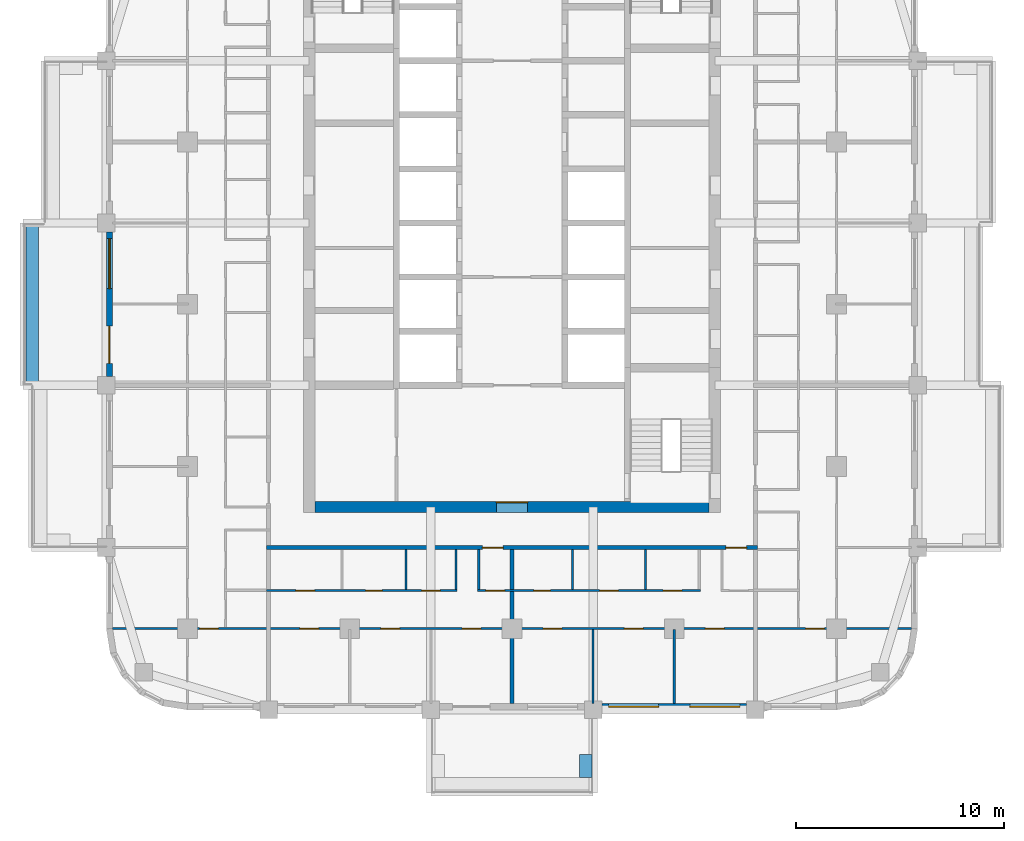
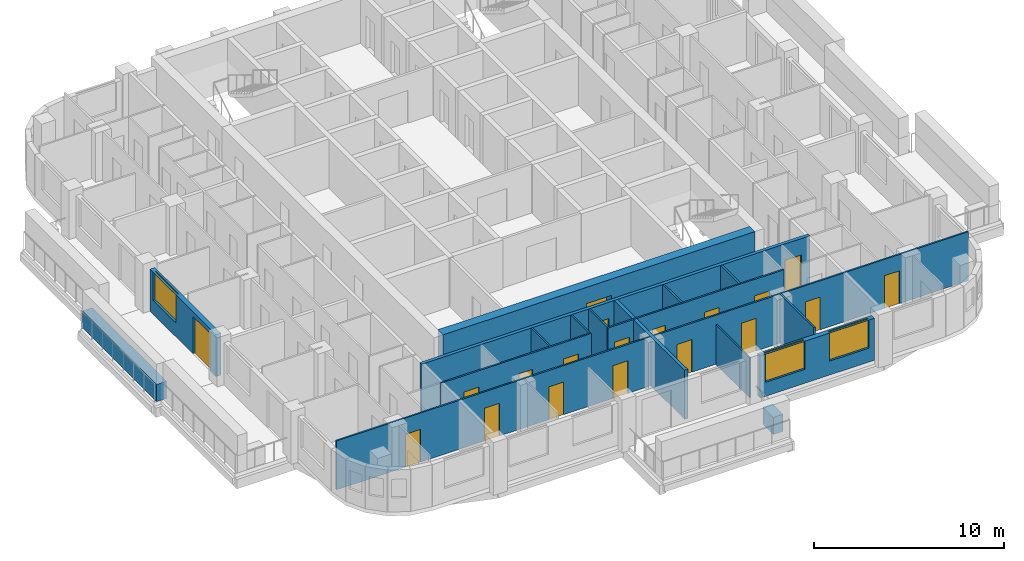
# One storey, part 3 of 14: 19 doors, 17 walls, 3 windows, 22 openings.
"""IFC4 building model written with IfcOpenShell, lengths in metres."""

import ifcopenshell
import ifcopenshell.guid

model = None  # the IFC model being written
_history = None  # IfcOwnerHistory: only IFC2X3 demands one
_inside = {}  # id of a spatial element -> (the spatial element, [elements in it])
_under = {}  # id of a project, library or spatial element -> (it, [spatial elements below it])
_declared = {}  # id of a project -> (the project, [libraries it declares])
_typed = {}  # id of a type object -> (the type object, [elements of that type])
_made_of = {}  # id of a material, layer set ... -> (it, [elements and type objects made of it])


def new_model(schema):
    """Start an empty IFC model of exactly this schema.

    Asked for "IFC4X3", IfcOpenShell would pick the latest addendum, in which some entities
    have other attributes; the version numbers below select the first issue.
    IFC2X3 requires an IfcOwnerHistory on every rooted entity: one is made here for all.
    """
    global model, _history
    if schema == "IFC4X3":
        model = ifcopenshell.file(schema_version=(4, 3, 0, 0))
    else:
        model = ifcopenshell.file(schema=schema)
    _inside.clear()
    _under.clear()
    _declared.clear()
    _typed.clear()
    _made_of.clear()
    _history = None
    if model.schema == "IFC2X3":
        org = make("IfcOrganization", Name="unknown")
        user = make(
            "IfcPersonAndOrganization",
            ThePerson=make("IfcPerson", FamilyName="unknown"),
            TheOrganization=org,
        )
        app = make(
            "IfcApplication",
            ApplicationDeveloper=org,
            Version="unknown",
            ApplicationFullName="unknown",
            ApplicationIdentifier="unknown",
        )
        _history = make(
            "IfcOwnerHistory",
            OwningUser=user,
            OwningApplication=app,
            ChangeAction="ADDED",
            CreationDate=0,
        )
    return model


def make(cls, **values):
    """One entity of the class cls with the attributes given. An attribute that is None is left unset."""
    return model.create_entity(
        cls, **{name: value for name, value in values.items() if value is not None}
    )


def rooted(cls, **values):
    """An entity with a GlobalId (a new one), such as an element, a storey or a relation."""
    return make(cls, GlobalId=ifcopenshell.guid.new(), OwnerHistory=_history, **values)


def si_unit(unit_type, name, prefix=None):
    """IfcSIUnit, for example si_unit("LENGTHUNIT", "METRE", prefix="MILLI")."""
    return make("IfcSIUnit", UnitType=unit_type, Prefix=prefix, Name=name)


def assignment(units):
    """IfcUnitAssignment: the units of a project."""
    return None if units is None else make("IfcUnitAssignment", Units=units)


def point(xyz):
    """IfcCartesianPoint."""
    return None if xyz is None else make("IfcCartesianPoint", Coordinates=xyz)


def direction(xyz):
    """IfcDirection."""
    return None if xyz is None else make("IfcDirection", DirectionRatios=xyz)


def frame(location, z_axis=None, x_axis=None):
    """IfcAxis2Placement3D, a coordinate frame: its origin and axes. An axis left out is left unset."""
    return make(
        "IfcAxis2Placement3D",
        Location=point(location),
        Axis=direction(z_axis),
        RefDirection=direction(x_axis),
    )


def frame_2d(location, x_axis=None):
    """IfcAxis2Placement2D, a coordinate frame in the plane: its origin and x axis."""
    return make(
        "IfcAxis2Placement2D", Location=point(location), RefDirection=direction(x_axis)
    )


def origin():
    """The frame at (0, 0, 0) with its axes left unset."""
    return frame((0.0, 0.0, 0.0))


def place(relative_to, where):
    """IfcLocalPlacement: puts the frame where relative to a parent placement (None: the world)."""
    return make(
        "IfcLocalPlacement", PlacementRelTo=relative_to, RelativePlacement=where
    )


def context(
    kind, dimensions, precision=None, world=None, true_north=None, identifier=None
):
    """IfcGeometricRepresentationContext, for example the 3D "Model" context."""
    return make(
        "IfcGeometricRepresentationContext",
        ContextIdentifier=identifier,
        ContextType=kind,
        CoordinateSpaceDimension=dimensions,
        Precision=precision,
        WorldCoordinateSystem=world,
        TrueNorth=true_north,
    )


def subcontext(parent, identifier, kind, view, scale=None):
    """IfcGeometricRepresentationSubContext, for example "Body" below "Model"."""
    return make(
        "IfcGeometricRepresentationSubContext",
        ContextIdentifier=identifier,
        ContextType=kind,
        ParentContext=parent,
        TargetScale=scale,
        TargetView=view,
    )


def project(units=None, contexts=None):
    """IfcProject with its units and contexts."""
    return rooted(
        "IfcProject",
        Name="project",
        RepresentationContexts=contexts,
        UnitsInContext=assignment(units),
    )


def spatial(cls, under=None, at=None, **own):
    """A site, building, storey or space (cls), placed at a placement, below another one or the project."""
    s = rooted(cls, ObjectPlacement=at, **own)
    if under is not None:
        _under.setdefault(under.id(), (under, []))[1].append(s)
    return s


def profile(cls, at=None, kind="AREA", **sizes):
    """A parametric profile (cls). Its sizes go by their IFC names, for example OverallWidth=200.0."""
    return make(cls, ProfileType=kind, Position=at, **sizes)


def rectangle(**sizes):
    """IfcRectangleProfileDef."""
    return profile("IfcRectangleProfileDef", **sizes)


def extrude(swept, where, along, depth):
    """IfcExtrudedAreaSolid: the profile swept, set in the frame where, extruded along a direction by depth."""
    return make(
        "IfcExtrudedAreaSolid",
        SweptArea=swept,
        Position=where,
        ExtrudedDirection=direction(along),
        Depth=depth,
    )


def shape(context_of_items, identifier, shape_type, items):
    """IfcShapeRepresentation: the items that make up one representation, for example the "Body"."""
    return make(
        "IfcShapeRepresentation",
        ContextOfItems=context_of_items,
        RepresentationIdentifier=identifier,
        RepresentationType=shape_type,
        Items=items,
    )


def material(Name=None, Category=None):
    """IfcMaterial."""
    return make("IfcMaterial", Name=Name, Category=Category)


def layer(
    of_material, thickness, ventilated=None, Name=None, Category=None, Priority=None
):
    """IfcMaterialLayer: one layer of a wall or slab, of a material (None: an air gap)."""
    return make(
        "IfcMaterialLayer",
        Material=of_material,
        LayerThickness=thickness,
        IsVentilated=ventilated,
        Name=Name,
        Category=Category,
        Priority=Priority,
    )


def layer_set(layers, Name=None):
    """IfcMaterialLayerSet."""
    return make("IfcMaterialLayerSet", MaterialLayers=layers, LayerSetName=Name)


def made_of(thing, what):
    """Note that an element or type object is made of a material, layer set ...; save() writes the relation."""
    if what is not None:
        _made_of.setdefault(what.id(), (what, []))[1].append(thing)
    return thing


def type_object(cls, material=None, **own):
    """A type object (cls), such as IfcWallType, which elements share."""
    return made_of(rooted(cls, **own), material)


def element(
    cls,
    number,
    at=None,
    inside=None,
    cuts=None,
    type_object=None,
    material=None,
    context=None,
    identifier="Body",
    shape_type=None,
    held_by="IfcProductDefinitionShape",
    body=None,
    shapes=None,
    **own,
):
    """One element of the class cls, such as IfcWall. Its Tag is "e" and its number.

    at: its placement. inside: the storey or other place that contains it. cuts: it is an
    opening in that element (IfcRelVoidsElement). A single representation is given by context,
    identifier, shape_type and body (its items); several are given by shapes. held_by: the class
    of the entity that holds the representations. save() writes the other relations.
    """
    e = rooted(cls, Tag="e%d" % number, ObjectPlacement=at, **own)
    if body is not None:
        shapes = [shape(context, identifier, shape_type, body)]
    if shapes is not None:
        e.Representation = make(held_by, Representations=shapes)
    if inside is not None:
        _inside.setdefault(inside.id(), (inside, []))[1].append(e)
    if cuts is not None:
        rooted(
            "IfcRelVoidsElement", RelatingBuildingElement=cuts, RelatedOpeningElement=e
        )
    if type_object is not None:
        _typed.setdefault(type_object.id(), (type_object, []))[1].append(e)
    return made_of(e, material)


def fill(opening, filler):
    """IfcRelFillsElement: the door or window that sits in an opening."""
    return rooted(
        "IfcRelFillsElement",
        RelatingOpeningElement=opening,
        RelatedBuildingElement=filler,
    )


def aggregate(whole, parts):
    """IfcRelAggregates: a whole, such as a stair, and the parts it consists of."""
    return rooted("IfcRelAggregates", RelatingObject=whole, RelatedObjects=parts)


def save(model, path):
    """Write the relations noted so far, then the file.

    IfcRelAggregates (storeys below a building ...), IfcRelContainedInSpatialStructure (elements
    in a storey), IfcRelDefinesByType, IfcRelAssociatesMaterial and IfcRelDeclares: one each for
    every whole, place, type object, material and project.
    """
    for whole, parts in _under.values():
        aggregate(whole, parts)
    for where, things in _inside.values():
        rooted(
            "IfcRelContainedInSpatialStructure",
            RelatedElements=things,
            RelatingStructure=where,
        )
    for kind, things in _typed.values():
        rooted("IfcRelDefinesByType", RelatedObjects=things, RelatingType=kind)
    for what, things in _made_of.values():
        rooted("IfcRelAssociatesMaterial", RelatedObjects=things, RelatingMaterial=what)
    for by, libraries in _declared.values():
        rooted("IfcRelDeclares", RelatingContext=by, RelatedDefinitions=libraries)
    model.write(path)


model = new_model("IFC4")

# Units and contexts
model_context = context("Model", 3, precision=1e-05, world=origin(), true_north=direction((0.0, 1.0)))
body_context = subcontext(model_context, "Body", "Model", "MODEL_VIEW")
ifc_project = project(units=[si_unit("LENGTHUNIT", "METRE"), si_unit("AREAUNIT", "SQUARE_METRE"), si_unit("VOLUMEUNIT", "CUBIC_METRE"), si_unit("PLANEANGLEUNIT", "RADIAN"), si_unit("MASSUNIT", "GRAM", prefix="KILO")], contexts=[model_context])

# Site, building, storey
site_placement = place(None, origin())
site = spatial("IfcSite", under=ifc_project, at=site_placement, CompositionType="ELEMENT")
building_placement = place(site_placement, origin())
building = spatial("IfcBuilding", under=site, at=building_placement, Name="Ludao Terraces", CompositionType="ELEMENT")
storey_placement = place(building_placement, frame((0.0, 0.0, 110.10009765625)))
storey = spatial("IfcBuildingStorey", under=building, at=storey_placement, Name="L30", CompositionType="ELEMENT", Elevation=110.10009765625)

# Wall, opening, door
ifc_material_1 = material(Name="Concrete C60", Category="concrete")
ifc_layer_1 = layer(ifc_material_1, 0.550048828125)
ifc_layer_set_1 = layer_set([ifc_layer_1], Name="Core wall 550 C60")
wall_type_1 = type_object("IfcWallType", Name="Core wall 550 C60", PredefinedType="SOLIDWALL", material=ifc_layer_set_1)
wall_1_placement = place(storey_placement, frame((75.52490234375, 55.25, -0.25), z_axis=(0.0, 0.0, 1.0), x_axis=(1.0, 0.0, 0.0)))
wall_1 = element("IfcWall", 1, at=wall_1_placement, inside=storey, type_object=wall_type_1, Name="Core wall L30 outer-S", PredefinedType="SOLIDWALL", context=body_context, shape_type="SweptSolid", body=[
    extrude(rectangle(XDim=18.9501953125, YDim=0.550048828125, at=frame_2d((9.47509765625, 0.0))), origin(), (0.0, 0.0, 1.0), 3.39990234375),
])
opening_1_placement = place(wall_1_placement, frame((8.72509765625, 0.0, 0.25)))
opening_1 = element("IfcOpeningElement", 2, at=opening_1_placement, cuts=wall_1, Name="Opening R09-029", PredefinedType="OPENING", context=body_context, shape_type="SweptSolid", body=[
    extrude(rectangle(XDim=1.5, YDim=2.10009765625, at=frame_2d((0.75, 1.050048828125))), frame((0.0, 0.28515625, 0.0), z_axis=(0.0, -1.0, 0.0), x_axis=(1.0, 0.0, 0.0)), (0.0, 0.0, 1.0), 0.570068359375),
])
ifc_material_2 = material(Name="Steel Q235", Category="steel")
door_type_1 = type_object("IfcDoorType", Name="INT Lobby door 1500", OperationType="DOUBLE_DOOR_SINGLE_SWING", PredefinedType="DOOR", material=ifc_material_2)
door_1_placement = place(opening_1_placement, origin())
door_1 = element("IfcDoor", 3, at=door_1_placement, inside=storey, type_object=door_type_1, Name="DOOR 029", OperationType="DOUBLE_DOOR_SINGLE_SWING", OverallHeight=2.10009765625, OverallWidth=1.5, PredefinedType="DOOR", context=body_context, shape_type="SweptSolid", body=[
    extrude(rectangle(XDim=1.5, YDim=2.10009765625, at=frame_2d((0.75, 1.050048828125))), frame((0.0, 0.26025390625, 0.0), z_axis=(0.0, -1.0, 0.0), x_axis=(1.0, 0.0, 0.0)), (0.0, 0.0, 1.0), 0.050048828125),
])
fill(opening_1, door_1)

# Walls
ifc_material_3 = material(Name="Concrete C40", Category="concrete")
ifc_layer_2 = layer(ifc_material_3, 0.60009765625)
ifc_layer_set_2 = layer_set([ifc_layer_2], Name="ENV Planter trough 600")
wall_type_2 = type_object("IfcWallType", Name="ENV Planter trough 600", PredefinedType="USERDEFINED", material=ifc_layer_set_2)
wall_2_placement = place(storey_placement, frame((88.550048828125, 42.25, 0.0), z_axis=(0.0, 0.0, 1.0), x_axis=(0.0, 1.0, 0.0)))
element("IfcWall", 4, at=wall_2_placement, inside=storey, type_object=wall_type_2, Name="PL-L30-S1-SB", ObjectType="PLANTER", PredefinedType="USERDEFINED", context=body_context, shape_type="SweptSolid", body=[
    extrude(rectangle(XDim=1.10009765625, YDim=0.60009765625, at=frame_2d((0.550048828125, 0.0))), origin(), (0.0, 0.0, 1.0), 1.099853515625),
])
wall_3_placement = place(storey_placement, frame((61.949951171875, 61.10009765625, 0.0), z_axis=(0.0, 0.0, 1.0), x_axis=(0.0, 1.0, 0.0)))
element("IfcWall", 5, at=wall_3_placement, inside=storey, type_object=wall_type_2, Name="PL-L30-W2", ObjectType="PLANTER", PredefinedType="USERDEFINED", context=body_context, shape_type="SweptSolid", body=[
    extrude(rectangle(XDim=7.7998046875, YDim=0.60009765625, at=frame_2d((3.89990234375, 0.0))), origin(), (0.0, 0.0, 1.0), 1.099853515625),
])

# Wall, openings, windows
ifc_material_4 = material(Name="Granite cladding", Category="masonry")
ifc_layer_3 = layer(ifc_material_4, 0.0400390625, Category="stone")
ifc_material_5 = material(Name="Mineral wool")
ifc_layer_4 = layer(ifc_material_5, 0.06005859375)
ifc_layer_5 = layer(ifc_material_3, 0.199951171875, Category="concrete")
ifc_layer_set_3 = layer_set([ifc_layer_3, ifc_layer_4, ifc_layer_5], Name="ENV Stone-clad wall 300")
wall_type_3 = type_object("IfcWallType", Name="ENV Stone-clad wall 300", PredefinedType="SOLIDWALL", material=ifc_layer_set_3)
wall_4_placement = place(storey_placement, frame((89.324951171875, 45.64990234375, 0.0), z_axis=(0.0, 0.0, 1.0), x_axis=(1.0, 0.0, 0.0)))
wall_4 = element("IfcWall", 6, at=wall_4_placement, inside=storey, type_object=wall_type_3, Name="EW-L30-S4", PredefinedType="SOLIDWALL", context=body_context, shape_type="SweptSolid", body=[
    extrude(rectangle(XDim=6.949951171875, YDim=0.300048828125, at=frame_2d((3.47509765625, 0.0))), origin(), (0.0, 0.0, 1.0), 2.699951171875),
])
opening_2_placement = place(wall_4_placement, frame((0.324951171875, 0.0, 0.89990234375)))
opening_2 = element("IfcOpeningElement", 7, at=opening_2_placement, cuts=wall_4, Name="Opening W1", PredefinedType="OPENING", context=body_context, shape_type="SweptSolid", body=[
    extrude(rectangle(XDim=2.39990234375, YDim=1.800048828125, at=frame_2d((1.199951171875, 0.89990234375))), frame((0.0, 0.16015625, 0.0), z_axis=(0.0, -1.0, 0.0), x_axis=(1.0, 0.0, 0.0)), (0.0, 0.0, 1.0), 0.320068359375),
])
opening_3_placement = place(wall_4_placement, frame((4.22509765625, 0.0, 0.89990234375)))
opening_3 = element("IfcOpeningElement", 8, at=opening_3_placement, cuts=wall_4, Name="Opening W1", PredefinedType="OPENING", context=body_context, shape_type="SweptSolid", body=[
    extrude(rectangle(XDim=2.39990234375, YDim=1.800048828125, at=frame_2d((1.199951171875, 0.89990234375))), frame((0.0, 0.16015625, 0.0), z_axis=(0.0, -1.0, 0.0), x_axis=(1.0, 0.0, 0.0)), (0.0, 0.0, 1.0), 0.320068359375),
])
ifc_material_6 = material(Name="Clear glass in aluminium frame", Category="aluminium")
ifc_layer_6 = layer(ifc_material_6, 0.06005859375)
ifc_layer_set_4 = layer_set([ifc_layer_6], Name="ENV Window W1 2400x1800")
window_type = type_object("IfcWindowType", Name="ENV Window W1 2400x1800", PartitioningType="DOUBLE_PANEL_VERTICAL", PredefinedType="WINDOW", material=ifc_layer_set_4)
window_1_placement = place(opening_2_placement, origin())
window_1 = element("IfcWindow", 9, at=window_1_placement, inside=storey, type_object=window_type, Name="W-L30-S4-1", OverallHeight=1.800048828125, OverallWidth=2.39990234375, PartitioningType="DOUBLE_PANEL_VERTICAL", PredefinedType="WINDOW", context=body_context, shape_type="SweptSolid", body=[
    extrude(rectangle(XDim=2.39990234375, YDim=1.800048828125, at=frame_2d((1.199951171875, 0.89990234375))), frame((0.0, 0.030029296875, 0.0), z_axis=(0.0, -1.0, 0.0), x_axis=(1.0, 0.0, 0.0)), (0.0, 0.0, 1.0), 0.06005859375),
])
fill(opening_2, window_1)
window_2_placement = place(opening_3_placement, origin())
window_2 = element("IfcWindow", 10, at=window_2_placement, inside=storey, type_object=window_type, Name="W-L30-S4-2", OverallHeight=1.800048828125, OverallWidth=2.39990234375, PartitioningType="DOUBLE_PANEL_VERTICAL", PredefinedType="WINDOW", context=body_context, shape_type="SweptSolid", body=[
    extrude(rectangle(XDim=2.39990234375, YDim=1.800048828125, at=frame_2d((1.199951171875, 0.89990234375))), frame((0.0, 0.030029296875, 0.0), z_axis=(0.0, -1.0, 0.0), x_axis=(1.0, 0.0, 0.0)), (0.0, 0.0, 1.0), 0.06005859375),
])
fill(opening_3, window_2)

# Wall, openings, door, window
wall_5_placement = place(storey_placement, frame((65.64990234375, 61.52490234375, 0.0), z_axis=(0.0, 0.0, 1.0), x_axis=(0.0, 1.0, 0.0)))
wall_5 = element("IfcWall", 11, at=wall_5_placement, inside=storey, type_object=wall_type_3, Name="EW-L30-W3", PredefinedType="SOLIDWALL", context=body_context, shape_type="SweptSolid", body=[
    extrude(rectangle(XDim=6.9501953125, YDim=0.300048828125, at=frame_2d((3.47509765625, 0.0))), origin(), (0.0, 0.0, 1.0), 2.699951171875),
])
opening_4_placement = place(wall_5_placement, frame((0.625, 0.0, 0.0)))
opening_4 = element("IfcOpeningElement", 12, at=opening_4_placement, cuts=wall_5, Name="Opening BD", PredefinedType="OPENING", context=body_context, shape_type="SweptSolid", body=[
    extrude(rectangle(XDim=1.800048828125, YDim=2.39990234375, at=frame_2d((0.89990234375, 1.199951171875))), frame((0.0, 0.16015625, 0.0), z_axis=(0.0, -1.0, 0.0), x_axis=(1.0, 0.0, 0.0)), (0.0, 0.0, 1.0), 0.320068359375),
])
opening_5_placement = place(wall_5_placement, frame((4.22509765625, 0.0, 0.89990234375)))
opening_5 = element("IfcOpeningElement", 13, at=opening_5_placement, cuts=wall_5, Name="Opening W1", PredefinedType="OPENING", context=body_context, shape_type="SweptSolid", body=[
    extrude(rectangle(XDim=2.39990234375, YDim=1.800048828125, at=frame_2d((1.199951171875, 0.89990234375))), frame((0.0, 0.16015625, 0.0), z_axis=(0.0, -1.0, 0.0), x_axis=(1.0, 0.0, 0.0)), (0.0, 0.0, 1.0), 0.320068359375),
])
ifc_material_7 = material(Name="Aluminium glazed door", Category="aluminium")
ifc_layer_7 = layer(ifc_material_7, 0.06005859375)
ifc_layer_set_5 = layer_set([ifc_layer_7], Name="ENV Balcony door BD 1800x2400")
door_type_2 = type_object("IfcDoorType", Name="ENV Balcony door BD 1800x2400", OperationType="DOUBLE_DOOR_SINGLE_SWING", PredefinedType="DOOR", material=ifc_layer_set_5)
door_2_placement = place(opening_4_placement, origin())
door_2 = element("IfcDoor", 14, at=door_2_placement, inside=storey, type_object=door_type_2, Name="BD-L30-W3-1", OperationType="DOUBLE_DOOR_SINGLE_SWING", OverallHeight=2.39990234375, OverallWidth=1.800048828125, PredefinedType="DOOR", context=body_context, shape_type="SweptSolid", body=[
    extrude(rectangle(XDim=1.800048828125, YDim=2.39990234375, at=frame_2d((0.89990234375, 1.199951171875))), frame((0.0, 0.02490234375, 0.0), z_axis=(0.0, -1.0, 0.0), x_axis=(1.0, 0.0, 0.0)), (0.0, 0.0, 1.0), 0.050048828125),
])
fill(opening_4, door_2)
window_3_placement = place(opening_5_placement, origin())
window_3 = element("IfcWindow", 15, at=window_3_placement, inside=storey, type_object=window_type, Name="W-L30-W3-2", OverallHeight=1.800048828125, OverallWidth=2.39990234375, PartitioningType="DOUBLE_PANEL_VERTICAL", PredefinedType="WINDOW", context=body_context, shape_type="SweptSolid", body=[
    extrude(rectangle(XDim=2.39990234375, YDim=1.800048828125, at=frame_2d((1.199951171875, 0.89990234375))), frame((0.0, 0.030029296875, 0.0), z_axis=(0.0, -1.0, 0.0), x_axis=(1.0, 0.0, 0.0)), (0.0, 0.0, 1.0), 0.06005859375),
])
fill(opening_5, window_3)

# Wall, openings, doors
ifc_material_8 = material(Name="Autoclaved aerated concrete block B06 A3.5", Category="concrete")
ifc_layer_8 = layer(ifc_material_8, 0.199951171875)
ifc_layer_set_6 = layer_set([ifc_layer_8], Name="INT Entrance wall 200")
wall_type_4 = type_object("IfcWallType", Name="INT Entrance wall 200", PredefinedType="PARTITIONING", material=ifc_layer_set_6)
wall_6_placement = place(storey_placement, frame((73.2001953125, 53.300048828125, 0.0), z_axis=(0.0, 0.0, 1.0), x_axis=(1.0, 0.0, 0.0)))
wall_6 = element("IfcWall", 16, at=wall_6_placement, inside=storey, type_object=wall_type_4, Name="PW-L30-PW008", PredefinedType="PARTITIONING", context=body_context, shape_type="SweptSolid", body=[
    extrude(rectangle(XDim=23.599853515625, YDim=0.199951171875, at=frame_2d((11.7998046875, 0.0))), origin(), (0.0, 0.0, 1.0), 3.14990234375),
])
opening_6_placement = place(wall_6_placement, frame((10.375, 0.0, 0.0)))
opening_6 = element("IfcOpeningElement", 17, at=opening_6_placement, cuts=wall_6, Name="Opening R09-025", PredefinedType="OPENING", context=body_context, shape_type="SweptSolid", body=[
    extrude(rectangle(XDim=1.0, YDim=2.10009765625, at=frame_2d((0.5, 1.050048828125))), frame((0.0, 0.10986328125, 0.0), z_axis=(0.0, -1.0, 0.0), x_axis=(1.0, 0.0, 0.0)), (0.0, 0.0, 1.0), 0.219970703125),
])
opening_7_placement = place(wall_6_placement, frame((22.074951171875, 0.0, 0.0)))
opening_7 = element("IfcOpeningElement", 18, at=opening_7_placement, cuts=wall_6, Name="Opening R09-026", PredefinedType="OPENING", context=body_context, shape_type="SweptSolid", body=[
    extrude(rectangle(XDim=1.0, YDim=2.10009765625, at=frame_2d((0.5, 1.050048828125))), frame((0.0, 0.10986328125, 0.0), z_axis=(0.0, -1.0, 0.0), x_axis=(1.0, 0.0, 0.0)), (0.0, 0.0, 1.0), 0.219970703125),
])
door_type_3 = type_object("IfcDoorType", Name="INT Flat entrance door 1000", OperationType="SINGLE_SWING_LEFT", PredefinedType="DOOR", material=ifc_material_2)
door_3_placement = place(opening_6_placement, origin())
door_3 = element("IfcDoor", 19, at=door_3_placement, inside=storey, type_object=door_type_3, Name="DOOR 025", OperationType="SINGLE_SWING_LEFT", OverallHeight=2.10009765625, OverallWidth=1.0, PredefinedType="DOOR", context=body_context, shape_type="SweptSolid", body=[
    extrude(rectangle(XDim=1.0, YDim=2.10009765625, at=frame_2d((0.5, 1.050048828125))), frame((0.0, 0.02490234375, 0.0), z_axis=(0.0, -1.0, 0.0), x_axis=(1.0, 0.0, 0.0)), (0.0, 0.0, 1.0), 0.050048828125),
])
fill(opening_6, door_3)
door_4_placement = place(opening_7_placement, origin())
door_4 = element("IfcDoor", 20, at=door_4_placement, inside=storey, type_object=door_type_3, Name="DOOR 026", OperationType="SINGLE_SWING_LEFT", OverallHeight=2.10009765625, OverallWidth=1.0, PredefinedType="DOOR", context=body_context, shape_type="SweptSolid", body=[
    extrude(rectangle(XDim=1.0, YDim=2.10009765625, at=frame_2d((0.5, 1.050048828125))), frame((0.0, 0.02490234375, 0.0), z_axis=(0.0, -1.0, 0.0), x_axis=(1.0, 0.0, 0.0)), (0.0, 0.0, 1.0), 0.050048828125),
])
fill(opening_7, door_4)

ifc_material_9 = material(Name="Gypsum plasterboard", Category="gypsum")
ifc_layer_9 = layer(ifc_material_9, 0.012451171875, Category="gypsum")
ifc_layer_10 = layer(ifc_material_5, 0.06005859375, Name="insulation")
ifc_layer_11 = layer(ifc_material_2, 0.014892578125, Name="stud")
ifc_layer_12 = layer(ifc_material_9, 0.012451171875, Category="gypsum")
ifc_layer_set_7 = layer_set([ifc_layer_9, ifc_layer_10, ifc_layer_11, ifc_layer_12], Name="INT Partition 100")
wall_type_5 = type_object("IfcWallType", Name="INT Partition 100", PredefinedType="PARTITIONING", material=ifc_layer_set_7)
wall_7_placement = place(storey_placement, frame((65.800048828125, 49.39990234375, 0.0), z_axis=(0.0, 0.0, 1.0), x_axis=(1.0, 0.0, 0.0)))
wall_7 = element("IfcWall", 21, at=wall_7_placement, inside=storey, type_object=wall_type_5, Name="PW-L30-PW000", PredefinedType="PARTITIONING", context=body_context, shape_type="SweptSolid", body=[
    extrude(rectangle(XDim=38.400146484375, YDim=0.10009765625, at=frame_2d((19.2001953125, 0.0))), origin(), (0.0, 0.0, 1.0), 3.14990234375),
])
opening_8_placement = place(wall_7_placement, frame((4.18994140625, 0.0, 0.0)))
opening_8 = element("IfcOpeningElement", 22, at=opening_8_placement, cuts=wall_7, Name="Opening R09-003", PredefinedType="OPENING", context=body_context, shape_type="SweptSolid", body=[
    extrude(rectangle(XDim=0.89990234375, YDim=2.10009765625, at=frame_2d((0.449951171875, 1.050048828125))), frame((0.0, 0.06005859375, 0.0), z_axis=(0.0, -1.0, 0.0), x_axis=(1.0, 0.0, 0.0)), (0.0, 0.0, 1.0), 0.1201171875),
])
opening_9_placement = place(wall_7_placement, frame((9.0, 0.0, 0.0)))
opening_9 = element("IfcOpeningElement", 23, at=opening_9_placement, cuts=wall_7, Name="Opening R09-004", PredefinedType="OPENING", context=body_context, shape_type="SweptSolid", body=[
    extrude(rectangle(XDim=0.89990234375, YDim=2.10009765625, at=frame_2d((0.449951171875, 1.050048828125))), frame((0.0, 0.06005859375, 0.0), z_axis=(0.0, -1.0, 0.0), x_axis=(1.0, 0.0, 0.0)), (0.0, 0.0, 1.0), 0.1201171875),
])
opening_10_placement = place(wall_7_placement, frame((12.89990234375, 0.0, 0.0)))
opening_10 = element("IfcOpeningElement", 24, at=opening_10_placement, cuts=wall_7, Name="Opening R09-005", PredefinedType="OPENING", context=body_context, shape_type="SweptSolid", body=[
    extrude(rectangle(XDim=0.89990234375, YDim=2.10009765625, at=frame_2d((0.449951171875, 1.050048828125))), frame((0.0, 0.06005859375, 0.0), z_axis=(0.0, -1.0, 0.0), x_axis=(1.0, 0.0, 0.0)), (0.0, 0.0, 1.0), 0.1201171875),
])
opening_11_placement = place(wall_7_placement, frame((16.800048828125, 0.0, 0.0)))
opening_11 = element("IfcOpeningElement", 25, at=opening_11_placement, cuts=wall_7, Name="Opening R09-006", PredefinedType="OPENING", context=body_context, shape_type="SweptSolid", body=[
    extrude(rectangle(XDim=0.89990234375, YDim=2.10009765625, at=frame_2d((0.449951171875, 1.050048828125))), frame((0.0, 0.06005859375, 0.0), z_axis=(0.0, -1.0, 0.0), x_axis=(1.0, 0.0, 0.0)), (0.0, 0.0, 1.0), 0.1201171875),
])
opening_12_placement = place(wall_7_placement, frame((20.699951171875, 0.0, 0.0)))
opening_12 = element("IfcOpeningElement", 26, at=opening_12_placement, cuts=wall_7, Name="Opening R09-007", PredefinedType="OPENING", context=body_context, shape_type="SweptSolid", body=[
    extrude(rectangle(XDim=0.89990234375, YDim=2.10009765625, at=frame_2d((0.449951171875, 1.050048828125))), frame((0.0, 0.06005859375, 0.0), z_axis=(0.0, -1.0, 0.0), x_axis=(1.0, 0.0, 0.0)), (0.0, 0.0, 1.0), 0.1201171875),
])
opening_13_placement = place(wall_7_placement, frame((24.60009765625, 0.0, 0.0)))
opening_13 = element("IfcOpeningElement", 27, at=opening_13_placement, cuts=wall_7, Name="Opening R09-008", PredefinedType="OPENING", context=body_context, shape_type="SweptSolid", body=[
    extrude(rectangle(XDim=0.89990234375, YDim=2.10009765625, at=frame_2d((0.449951171875, 1.050048828125))), frame((0.0, 0.06005859375, 0.0), z_axis=(0.0, -1.0, 0.0), x_axis=(1.0, 0.0, 0.0)), (0.0, 0.0, 1.0), 0.1201171875),
])
opening_14_placement = place(wall_7_placement, frame((28.5, 0.0, 0.0)))
opening_14 = element("IfcOpeningElement", 28, at=opening_14_placement, cuts=wall_7, Name="Opening R09-009", PredefinedType="OPENING", context=body_context, shape_type="SweptSolid", body=[
    extrude(rectangle(XDim=0.89990234375, YDim=2.10009765625, at=frame_2d((0.449951171875, 1.050048828125))), frame((0.0, 0.06005859375, 0.0), z_axis=(0.0, -1.0, 0.0), x_axis=(1.0, 0.0, 0.0)), (0.0, 0.0, 1.0), 0.1201171875),
])
opening_15_placement = place(wall_7_placement, frame((33.31005859375, 0.0, 0.0)))
opening_15 = element("IfcOpeningElement", 29, at=opening_15_placement, cuts=wall_7, Name="Opening R09-010", PredefinedType="OPENING", context=body_context, shape_type="SweptSolid", body=[
    extrude(rectangle(XDim=0.89990234375, YDim=2.10009765625, at=frame_2d((0.449951171875, 1.050048828125))), frame((0.0, 0.06005859375, 0.0), z_axis=(0.0, -1.0, 0.0), x_axis=(1.0, 0.0, 0.0)), (0.0, 0.0, 1.0), 0.1201171875),
])
ifc_material_10 = material(Name="Timber door leaf", Category="wood")
door_type_4 = type_object("IfcDoorType", Name="INT Room door 900", OperationType="SINGLE_SWING_LEFT", PredefinedType="DOOR", material=ifc_material_10)
door_5_placement = place(opening_8_placement, origin())
door_5 = element("IfcDoor", 30, at=door_5_placement, inside=storey, type_object=door_type_4, Name="DOOR 003", OperationType="SINGLE_SWING_RIGHT", OverallHeight=2.10009765625, OverallWidth=0.89990234375, PredefinedType="DOOR", context=body_context, shape_type="SweptSolid", body=[
    extrude(rectangle(XDim=0.89990234375, YDim=2.10009765625, at=frame_2d((0.449951171875, 1.050048828125))), frame((0.0, 0.02490234375, 0.0), z_axis=(0.0, -1.0, 0.0), x_axis=(1.0, 0.0, 0.0)), (0.0, 0.0, 1.0), 0.050048828125),
])
fill(opening_8, door_5)
door_6_placement = place(opening_9_placement, origin())
door_6 = element("IfcDoor", 31, at=door_6_placement, inside=storey, type_object=door_type_4, Name="DOOR 004", OperationType="SINGLE_SWING_RIGHT", OverallHeight=2.10009765625, OverallWidth=0.89990234375, PredefinedType="DOOR", context=body_context, shape_type="SweptSolid", body=[
    extrude(rectangle(XDim=0.89990234375, YDim=2.10009765625, at=frame_2d((0.449951171875, 1.050048828125))), frame((0.0, 0.02490234375, 0.0), z_axis=(0.0, -1.0, 0.0), x_axis=(1.0, 0.0, 0.0)), (0.0, 0.0, 1.0), 0.050048828125),
])
fill(opening_9, door_6)
door_7_placement = place(opening_10_placement, origin())
door_7 = element("IfcDoor", 32, at=door_7_placement, inside=storey, type_object=door_type_4, Name="DOOR 005", OperationType="SINGLE_SWING_RIGHT", OverallHeight=2.10009765625, OverallWidth=0.89990234375, PredefinedType="DOOR", context=body_context, shape_type="SweptSolid", body=[
    extrude(rectangle(XDim=0.89990234375, YDim=2.10009765625, at=frame_2d((0.449951171875, 1.050048828125))), frame((0.0, 0.02490234375, 0.0), z_axis=(0.0, -1.0, 0.0), x_axis=(1.0, 0.0, 0.0)), (0.0, 0.0, 1.0), 0.050048828125),
])
fill(opening_10, door_7)
door_8_placement = place(opening_11_placement, origin())
door_8 = element("IfcDoor", 33, at=door_8_placement, inside=storey, type_object=door_type_4, Name="DOOR 006", OperationType="SINGLE_SWING_LEFT", OverallHeight=2.10009765625, OverallWidth=0.89990234375, PredefinedType="DOOR", context=body_context, shape_type="SweptSolid", body=[
    extrude(rectangle(XDim=0.89990234375, YDim=2.10009765625, at=frame_2d((0.449951171875, 1.050048828125))), frame((0.0, 0.02490234375, 0.0), z_axis=(0.0, -1.0, 0.0), x_axis=(1.0, 0.0, 0.0)), (0.0, 0.0, 1.0), 0.050048828125),
])
fill(opening_11, door_8)
door_9_placement = place(opening_12_placement, origin())
door_9 = element("IfcDoor", 34, at=door_9_placement, inside=storey, type_object=door_type_4, Name="DOOR 007", OperationType="SINGLE_SWING_RIGHT", OverallHeight=2.10009765625, OverallWidth=0.89990234375, PredefinedType="DOOR", context=body_context, shape_type="SweptSolid", body=[
    extrude(rectangle(XDim=0.89990234375, YDim=2.10009765625, at=frame_2d((0.449951171875, 1.050048828125))), frame((0.0, 0.02490234375, 0.0), z_axis=(0.0, -1.0, 0.0), x_axis=(1.0, 0.0, 0.0)), (0.0, 0.0, 1.0), 0.050048828125),
])
fill(opening_12, door_9)
door_10_placement = place(opening_13_placement, origin())
door_10 = element("IfcDoor", 35, at=door_10_placement, inside=storey, type_object=door_type_4, Name="DOOR 008", OperationType="SINGLE_SWING_RIGHT", OverallHeight=2.10009765625, OverallWidth=0.89990234375, PredefinedType="DOOR", context=body_context, shape_type="SweptSolid", body=[
    extrude(rectangle(XDim=0.89990234375, YDim=2.10009765625, at=frame_2d((0.449951171875, 1.050048828125))), frame((0.0, 0.02490234375, 0.0), z_axis=(0.0, -1.0, 0.0), x_axis=(1.0, 0.0, 0.0)), (0.0, 0.0, 1.0), 0.050048828125),
])
fill(opening_13, door_10)
door_11_placement = place(opening_14_placement, origin())
door_11 = element("IfcDoor", 36, at=door_11_placement, inside=storey, type_object=door_type_4, Name="DOOR 009", OperationType="SINGLE_SWING_LEFT", OverallHeight=2.10009765625, OverallWidth=0.89990234375, PredefinedType="DOOR", context=body_context, shape_type="SweptSolid", body=[
    extrude(rectangle(XDim=0.89990234375, YDim=2.10009765625, at=frame_2d((0.449951171875, 1.050048828125))), frame((0.0, 0.02490234375, 0.0), z_axis=(0.0, -1.0, 0.0), x_axis=(1.0, 0.0, 0.0)), (0.0, 0.0, 1.0), 0.050048828125),
])
fill(opening_14, door_11)
door_12_placement = place(opening_15_placement, origin())
door_12 = element("IfcDoor", 37, at=door_12_placement, inside=storey, type_object=door_type_4, Name="DOOR 010", OperationType="SINGLE_SWING_LEFT", OverallHeight=2.10009765625, OverallWidth=0.89990234375, PredefinedType="DOOR", context=body_context, shape_type="SweptSolid", body=[
    extrude(rectangle(XDim=0.89990234375, YDim=2.10009765625, at=frame_2d((0.449951171875, 1.050048828125))), frame((0.0, 0.02490234375, 0.0), z_axis=(0.0, -1.0, 0.0), x_axis=(1.0, 0.0, 0.0)), (0.0, 0.0, 1.0), 0.050048828125),
])
fill(opening_15, door_12)

wall_8_placement = place(storey_placement, frame((73.2001953125, 51.22998046875, 0.0), z_axis=(0.0, 0.0, 1.0), x_axis=(1.0, 0.0, 0.0)))
wall_8 = element("IfcWall", 38, at=wall_8_placement, inside=storey, type_object=wall_type_5, Name="PW-L30-PW001", PredefinedType="PARTITIONING", context=body_context, shape_type="SweptSolid", body=[
    extrude(rectangle(XDim=9.14990234375, YDim=0.10009765625, at=frame_2d((4.574951171875, 0.0))), origin(), (0.0, 0.0, 1.0), 3.14990234375),
])
opening_16_placement = place(wall_8_placement, frame((1.409912109375, 0.0, 0.0)))
opening_16 = element("IfcOpeningElement", 39, at=opening_16_placement, cuts=wall_8, Name="Opening R09-013", PredefinedType="OPENING", context=body_context, shape_type="SweptSolid", body=[
    extrude(rectangle(XDim=0.89990234375, YDim=2.10009765625, at=frame_2d((0.449951171875, 1.050048828125))), frame((0.0, 0.06005859375, 0.0), z_axis=(0.0, -1.0, 0.0), x_axis=(1.0, 0.0, 0.0)), (0.0, 0.0, 1.0), 0.1201171875),
])
opening_17_placement = place(wall_8_placement, frame((4.760009765625, 0.0, 0.0)))
opening_17 = element("IfcOpeningElement", 40, at=opening_17_placement, cuts=wall_8, Name="Opening R09-014", PredefinedType="OPENING", context=body_context, shape_type="SweptSolid", body=[
    extrude(rectangle(XDim=0.800048828125, YDim=2.10009765625, at=frame_2d((0.39990234375, 1.050048828125))), frame((0.0, 0.06005859375, 0.0), z_axis=(0.0, -1.0, 0.0), x_axis=(1.0, 0.0, 0.0)), (0.0, 0.0, 1.0), 0.1201171875),
])
opening_18_placement = place(wall_8_placement, frame((7.449951171875, 0.0, 0.0)))
opening_18 = element("IfcOpeningElement", 41, at=opening_18_placement, cuts=wall_8, Name="Opening R09-015", PredefinedType="OPENING", context=body_context, shape_type="SweptSolid", body=[
    extrude(rectangle(XDim=0.89990234375, YDim=2.10009765625, at=frame_2d((0.449951171875, 1.050048828125))), frame((0.0, 0.06005859375, 0.0), z_axis=(0.0, -1.0, 0.0), x_axis=(1.0, 0.0, 0.0)), (0.0, 0.0, 1.0), 0.1201171875),
])
door_type_5 = type_object("IfcDoorType", Name="INT Bathroom door 900", OperationType="SINGLE_SWING_LEFT", PredefinedType="DOOR", material=ifc_material_10)
door_13_placement = place(opening_18_placement, origin())
door_13 = element("IfcDoor", 42, at=door_13_placement, inside=storey, type_object=door_type_5, Name="DOOR 015", OperationType="SINGLE_SWING_LEFT", OverallHeight=2.10009765625, OverallWidth=0.89990234375, PredefinedType="DOOR", context=body_context, shape_type="SweptSolid", body=[
    extrude(rectangle(XDim=0.89990234375, YDim=2.10009765625, at=frame_2d((0.449951171875, 1.050048828125))), frame((0.0, 0.02490234375, 0.0), z_axis=(0.0, -1.0, 0.0), x_axis=(1.0, 0.0, 0.0)), (0.0, 0.0, 1.0), 0.050048828125),
])
fill(opening_18, door_13)
door_14_placement = place(opening_16_placement, origin())
door_14 = element("IfcDoor", 43, at=door_14_placement, inside=storey, type_object=door_type_4, Name="DOOR 013", OperationType="SINGLE_SWING_LEFT", OverallHeight=2.10009765625, OverallWidth=0.89990234375, PredefinedType="DOOR", context=body_context, shape_type="SweptSolid", body=[
    extrude(rectangle(XDim=0.89990234375, YDim=2.10009765625, at=frame_2d((0.449951171875, 1.050048828125))), frame((0.0, 0.02490234375, 0.0), z_axis=(0.0, -1.0, 0.0), x_axis=(1.0, 0.0, 0.0)), (0.0, 0.0, 1.0), 0.050048828125),
])
fill(opening_16, door_14)
door_type_6 = type_object("IfcDoorType", Name="INT Store door 800", OperationType="SINGLE_SWING_LEFT", PredefinedType="DOOR", material=ifc_material_10)
door_15_placement = place(opening_17_placement, origin())
door_15 = element("IfcDoor", 44, at=door_15_placement, inside=storey, type_object=door_type_6, Name="DOOR 014", OperationType="SINGLE_SWING_LEFT", OverallHeight=2.10009765625, OverallWidth=0.800048828125, PredefinedType="DOOR", context=body_context, shape_type="SweptSolid", body=[
    extrude(rectangle(XDim=0.800048828125, YDim=2.10009765625, at=frame_2d((0.39990234375, 1.050048828125))), frame((0.0, 0.02490234375, 0.0), z_axis=(0.0, -1.0, 0.0), x_axis=(1.0, 0.0, 0.0)), (0.0, 0.0, 1.0), 0.050048828125),
])
fill(opening_17, door_15)

wall_9_placement = place(storey_placement, frame((83.35009765625, 51.22998046875, 0.0), z_axis=(0.0, 0.0, 1.0), x_axis=(1.0, 0.0, 0.0)))
wall_9 = element("IfcWall", 45, at=wall_9_placement, inside=storey, type_object=wall_type_5, Name="PW-L30-PW002", PredefinedType="PARTITIONING", context=body_context, shape_type="SweptSolid", body=[
    extrude(rectangle(XDim=10.699951171875, YDim=0.10009765625, at=frame_2d((5.35009765625, 0.0))), origin(), (0.0, 0.0, 1.0), 3.14990234375),
])
opening_19_placement = place(wall_9_placement, frame((0.39990234375, 0.0, 0.0)))
opening_19 = element("IfcOpeningElement", 46, at=opening_19_placement, cuts=wall_9, Name="Opening R09-016", PredefinedType="OPENING", context=body_context, shape_type="SweptSolid", body=[
    extrude(rectangle(XDim=0.89990234375, YDim=2.10009765625, at=frame_2d((0.449951171875, 1.050048828125))), frame((0.0, 0.06005859375, 0.0), z_axis=(0.0, -1.0, 0.0), x_axis=(1.0, 0.0, 0.0)), (0.0, 0.0, 1.0), 0.1201171875),
])
opening_20_placement = place(wall_9_placement, frame((2.699951171875, 0.0, 0.0)))
opening_20 = element("IfcOpeningElement", 47, at=opening_20_placement, cuts=wall_9, Name="Opening R09-017", PredefinedType="OPENING", context=body_context, shape_type="SweptSolid", body=[
    extrude(rectangle(XDim=0.800048828125, YDim=2.10009765625, at=frame_2d((0.39990234375, 1.050048828125))), frame((0.0, 0.06005859375, 0.0), z_axis=(0.0, -1.0, 0.0), x_axis=(1.0, 0.0, 0.0)), (0.0, 0.0, 1.0), 0.1201171875),
])
opening_21_placement = place(wall_9_placement, frame((5.860107421875, 0.0, 0.0)))
opening_21 = element("IfcOpeningElement", 48, at=opening_21_placement, cuts=wall_9, Name="Opening R09-018", PredefinedType="OPENING", context=body_context, shape_type="SweptSolid", body=[
    extrude(rectangle(XDim=0.89990234375, YDim=2.10009765625, at=frame_2d((0.449951171875, 1.050048828125))), frame((0.0, 0.06005859375, 0.0), z_axis=(0.0, -1.0, 0.0), x_axis=(1.0, 0.0, 0.0)), (0.0, 0.0, 1.0), 0.1201171875),
])
opening_22_placement = place(wall_9_placement, frame((8.909912109375, 0.0, 0.0)))
opening_22 = element("IfcOpeningElement", 49, at=opening_22_placement, cuts=wall_9, Name="Opening R09-019", PredefinedType="OPENING", context=body_context, shape_type="SweptSolid", body=[
    extrude(rectangle(XDim=0.89990234375, YDim=2.10009765625, at=frame_2d((0.449951171875, 1.050048828125))), frame((0.0, 0.06005859375, 0.0), z_axis=(0.0, -1.0, 0.0), x_axis=(1.0, 0.0, 0.0)), (0.0, 0.0, 1.0), 0.1201171875),
])
door_16_placement = place(opening_19_placement, origin())
door_16 = element("IfcDoor", 50, at=door_16_placement, inside=storey, type_object=door_type_5, Name="DOOR 016", OperationType="SINGLE_SWING_RIGHT", OverallHeight=2.10009765625, OverallWidth=0.89990234375, PredefinedType="DOOR", context=body_context, shape_type="SweptSolid", body=[
    extrude(rectangle(XDim=0.89990234375, YDim=2.10009765625, at=frame_2d((0.449951171875, 1.050048828125))), frame((0.0, 0.02490234375, 0.0), z_axis=(0.0, -1.0, 0.0), x_axis=(1.0, 0.0, 0.0)), (0.0, 0.0, 1.0), 0.050048828125),
])
fill(opening_19, door_16)
door_17_placement = place(opening_22_placement, origin())
door_17 = element("IfcDoor", 51, at=door_17_placement, inside=storey, type_object=door_type_5, Name="DOOR 019", OperationType="SINGLE_SWING_LEFT", OverallHeight=2.10009765625, OverallWidth=0.89990234375, PredefinedType="DOOR", context=body_context, shape_type="SweptSolid", body=[
    extrude(rectangle(XDim=0.89990234375, YDim=2.10009765625, at=frame_2d((0.449951171875, 1.050048828125))), frame((0.0, 0.02490234375, 0.0), z_axis=(0.0, -1.0, 0.0), x_axis=(1.0, 0.0, 0.0)), (0.0, 0.0, 1.0), 0.050048828125),
])
fill(opening_22, door_17)
door_18_placement = place(opening_21_placement, origin())
door_18 = element("IfcDoor", 52, at=door_18_placement, inside=storey, type_object=door_type_4, Name="DOOR 018", OperationType="SINGLE_SWING_LEFT", OverallHeight=2.10009765625, OverallWidth=0.89990234375, PredefinedType="DOOR", context=body_context, shape_type="SweptSolid", body=[
    extrude(rectangle(XDim=0.89990234375, YDim=2.10009765625, at=frame_2d((0.449951171875, 1.050048828125))), frame((0.0, 0.02490234375, 0.0), z_axis=(0.0, -1.0, 0.0), x_axis=(1.0, 0.0, 0.0)), (0.0, 0.0, 1.0), 0.050048828125),
])
fill(opening_21, door_18)
door_19_placement = place(opening_20_placement, origin())
door_19 = element("IfcDoor", 53, at=door_19_placement, inside=storey, type_object=door_type_6, Name="DOOR 017", OperationType="SINGLE_SWING_LEFT", OverallHeight=2.10009765625, OverallWidth=0.800048828125, PredefinedType="DOOR", context=body_context, shape_type="SweptSolid", body=[
    extrude(rectangle(XDim=0.800048828125, YDim=2.10009765625, at=frame_2d((0.39990234375, 1.050048828125))), frame((0.0, 0.02490234375, 0.0), z_axis=(0.0, -1.0, 0.0), x_axis=(1.0, 0.0, 0.0)), (0.0, 0.0, 1.0), 0.050048828125),
])
fill(opening_20, door_19)

# Walls
for number, where, z_axis, x_axis, name in (
    (54, (79.89990234375, 51.280029296875, 0.0), (0.0, 0.0, 1.0), (0.0, 1.0, 0.0), "PW-L30-PW060"),
    (55, (82.300048828125, 51.280029296875, 0.0), (0.0, 0.0, 1.0), (0.0, 1.0, 0.0), "PW-L30-PW062"),
    (56, (83.39990234375, 51.280029296875, 0.0), (0.0, 0.0, 1.0), (0.0, 1.0, 0.0), "PW-L30-PW063"),
    (57, (87.89990234375, 51.280029296875, 0.0), (0.0, 0.0, 1.0), (0.0, 1.0, 0.0), "PW-L30-PW065"),
):
    element("IfcWall", number, at=place(storey_placement, frame(where, z_axis=z_axis, x_axis=x_axis)), inside=storey, type_object=wall_type_5, Name=name, PredefinedType="PARTITIONING", context=body_context, shape_type="SweptSolid", body=[
        extrude(rectangle(XDim=1.920166015625, YDim=0.10009765625, at=frame_2d((0.9599609375, 0.0))), origin(), (0.0, 0.0, 1.0), 3.14990234375),
    ])
wall_10_placement = place(storey_placement, frame((88.89990234375, 45.800048828125, 0.0), z_axis=(0.0, 0.0, 1.0), x_axis=(0.0, 1.0, 0.0)))
element("IfcWall", 58, at=wall_10_placement, inside=storey, type_object=wall_type_5, Name="PW-L30-PW066", PredefinedType="PARTITIONING", context=body_context, shape_type="SweptSolid", body=[
    extrude(rectangle(XDim=3.550048828125, YDim=0.10009765625, at=frame_2d((1.77490234375, 0.0))), origin(), (0.0, 0.0, 1.0), 2.5498046875),
])
wall_11_placement = place(storey_placement, frame((91.419921875, 51.280029296875, 0.0), z_axis=(0.0, 0.0, 1.0), x_axis=(0.0, 1.0, 0.0)))
element("IfcWall", 59, at=wall_11_placement, inside=storey, type_object=wall_type_5, Name="PW-L30-PW067", PredefinedType="PARTITIONING", context=body_context, shape_type="SweptSolid", body=[
    extrude(rectangle(XDim=1.920166015625, YDim=0.10009765625, at=frame_2d((0.9599609375, 0.0))), origin(), (0.0, 0.0, 1.0), 3.14990234375),
])
wall_12_placement = place(storey_placement, frame((92.800048828125, 45.800048828125, 0.0), z_axis=(0.0, 0.0, 1.0), x_axis=(0.0, 1.0, 0.0)))
element("IfcWall", 60, at=wall_12_placement, inside=storey, type_object=wall_type_5, Name="PW-L30-PW068", PredefinedType="PARTITIONING", context=body_context, shape_type="SweptSolid", body=[
    extrude(rectangle(XDim=3.550048828125, YDim=0.10009765625, at=frame_2d((1.77490234375, 0.0))), origin(), (0.0, 0.0, 1.0), 3.14990234375),
])
ifc_layer_13 = layer(ifc_material_8, 0.199951171875)
ifc_layer_set_8 = layer_set([ifc_layer_13], Name="INT Party wall 200")
wall_type_6 = type_object("IfcWallType", Name="INT Party wall 200", PredefinedType="PARTITIONING", material=ifc_layer_set_8)
wall_13_placement = place(storey_placement, frame((85.0, 45.800048828125, 0.0), z_axis=(0.0, 0.0, 1.0), x_axis=(0.0, 1.0, 0.0)))
element("IfcWall", 61, at=wall_13_placement, inside=storey, type_object=wall_type_6, Name="PW-L30-PW064", PredefinedType="PARTITIONING", context=body_context, shape_type="SweptSolid", body=[
    extrude(rectangle(XDim=7.400146484375, YDim=0.199951171875, at=frame_2d((3.7001953125, 0.0))), origin(), (0.0, 0.0, 1.0), 3.14990234375),
])

save(model, "model.ifc")
